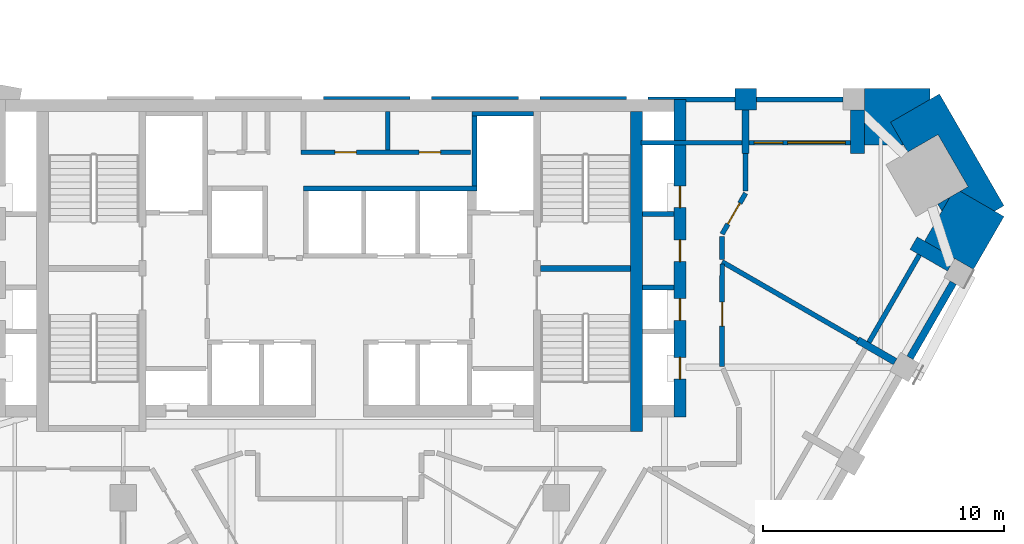
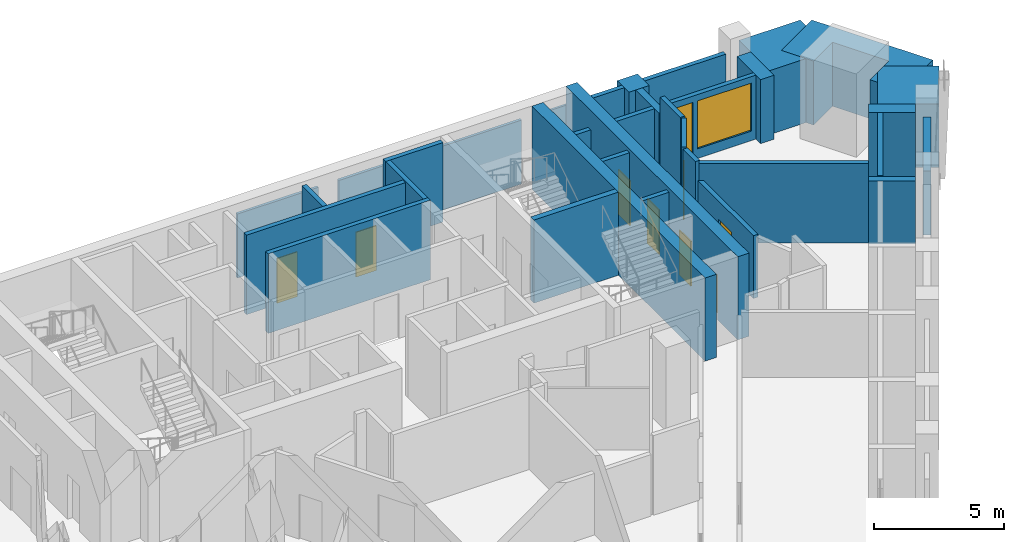
# One storey, part 7 of 9: 33 walls, 9 doors, 1 window, 10 openings.
"""IFC4 building model written with IfcOpenShell, lengths in metres."""

from ifc_helpers import new_model, si_unit, direction, frame, frame_2d, origin, place, context, subcontext, project, spatial, polyline, rectangle, outline, extrude, material, layer, layer_set, type_object, element, fill, save


model = new_model("IFC4")

# Units and contexts
model_context = context("Model", 3, precision=1e-05, world=origin(), true_north=direction((0.0, 1.0)))
body_context = subcontext(model_context, "Body", "Model", "MODEL_VIEW")
ifc_project = project(units=[si_unit("LENGTHUNIT", "METRE"), si_unit("AREAUNIT", "SQUARE_METRE"), si_unit("VOLUMEUNIT", "CUBIC_METRE"), si_unit("PLANEANGLEUNIT", "RADIAN"), si_unit("MASSUNIT", "GRAM", prefix="KILO")], contexts=[model_context])

# Site, building, storey
site_placement = place(None, origin())
site = spatial("IfcSite", under=ifc_project, at=site_placement, CompositionType="ELEMENT")
building_placement = place(site_placement, origin())
building = spatial("IfcBuilding", under=site, at=building_placement, Name="Calabash Gate Tower", CompositionType="ELEMENT")
storey_placement = place(building_placement, frame((0.0, 0.0, 196.39990234375)))
storey = spatial("IfcBuildingStorey", under=building, at=storey_placement, Name="L46", CompositionType="ELEMENT", Elevation=196.39990234375)

# Walls
ifc_material_1 = material(Name="Terracotta brick masonry, exposed face", Category="masonry")
ifc_layer_1 = layer(ifc_material_1, 2.35009765625)
ifc_layer_set_1 = layer_set([ifc_layer_1], Name="Brick corner mass wall 2350")
wall_type_1 = type_object("IfcWallType", Name="Brick corner mass wall 2350", PredefinedType="SOLIDWALL", material=ifc_layer_set_1)
wall_1_placement = place(storey_placement, origin())
element("IfcWall", 1, at=wall_1_placement, inside=storey, type_object=wall_type_1, Name="Brick corner pier S13 3a", PredefinedType="SOLIDWALL", context=body_context, shape_type="SweptSolid", body=[
    extrude(outline(polyline([(25.370361328125, 14.987060546875), (24.3154296875, 13.159912109375), (26.3505859375, 11.98486328125), (27.61865234375, 14.181396484375), (25.796630859375, 15.233154296875), (25.370361328125, 14.987060546875)])), origin(), (0.0, 0.0, 1.0), 3.0),
])
wall_2_placement = place(storey_placement, origin())
element("IfcWall", 2, at=wall_2_placement, inside=storey, type_object=wall_type_1, Name="Brick corner pier S13 3ba", PredefinedType="SOLIDWALL", context=body_context, shape_type="SweptSolid", body=[
    extrude(outline(polyline([(25.03515625, 14.40625), (25.370361328125, 14.987060546875), (24.867431640625, 14.69677734375), (25.03515625, 14.40625)])), origin(), (0.0, 0.0, 1.0), 3.0),
])
wall_3_placement = place(storey_placement, origin())
element("IfcWall", 3, at=wall_3_placement, inside=storey, type_object=wall_type_1, Name="Brick corner pier S13 3bb", PredefinedType="SOLIDWALL", context=body_context, shape_type="SweptSolid", body=[
    extrude(outline(polyline([(22.901123046875, 18.1025390625), (23.617431640625, 16.86181640625), (24.87451171875, 17.587646484375), (26.12451171875, 15.42236328125), (25.796630859375, 15.233154296875), (27.22900390625, 14.40625), (27.61865234375, 14.63134765625), (24.936279296875, 19.277587890625), (22.901123046875, 18.1025390625)])), origin(), (0.0, 0.0, 1.0), 3.0),
])
wall_4_placement = place(storey_placement, origin())
element("IfcWall", 4, at=wall_4_placement, inside=storey, type_object=wall_type_1, Name="Brick corner pier S13 3c", PredefinedType="SOLIDWALL", context=body_context, shape_type="SweptSolid", body=[
    extrude(outline(polyline([(21.827880859375, 18.60302734375), (21.827880859375, 17.152587890625), (23.449462890625, 17.152587890625), (22.901123046875, 18.1025390625), (24.54638671875, 19.052490234375), (24.54638671875, 19.50244140625), (21.827880859375, 19.50244140625), (21.827880859375, 18.60302734375), (21.827880859375, 18.60302734375)])), origin(), (0.0, 0.0, 1.0), 3.0),
])
ifc_material_2 = material(Name="Terracotta brick masonry, exposed face", Category="masonry")
ifc_layer_2 = layer(ifc_material_2, 0.89990234375)
ifc_layer_set_2 = layer_set([ifc_layer_2], Name="Brick end wall 900")
wall_type_2 = type_object("IfcWallType", Name="Brick end wall 900", PredefinedType="SOLIDWALL", material=ifc_layer_set_2)
wall_5_placement = place(storey_placement, origin())
element("IfcWall", 5, at=wall_5_placement, inside=storey, type_object=wall_type_2, Name="Brick pier S13 N4.1", PredefinedType="SOLIDWALL", context=body_context, shape_type="SweptSolid", body=[
    extrude(outline(polyline([(17.327880859375, 19.50244140625), (16.427734375, 19.50244140625), (16.427734375, 18.6025390625), (17.327880859375, 18.6025390625), (17.327880859375, 19.50244140625)])), origin(), (0.0, 0.0, 1.0), 3.0),
])
ifc_material_3 = material(Name="Terracotta brick masonry, exposed face", Category="masonry")
ifc_layer_3 = layer(ifc_material_3, 0.300048828125)
ifc_layer_set_3 = layer_set([ifc_layer_3], Name="Brick infill panel wall 300")
wall_type_3 = type_object("IfcWallType", Name="Brick infill panel wall 300", PredefinedType="SOLIDWALL", material=ifc_layer_set_3)
wall_6_placement = place(storey_placement, frame((23.7109375, 8.312744140625, 0.0), z_axis=(0.0, 0.0, 1.0), x_axis=(0.500012057535, 0.866018442252, 0.0)))
element("IfcWall", 6, at=wall_6_placement, inside=storey, type_object=wall_type_3, Name="Brick panel S13 SE2.9", PredefinedType="SOLIDWALL", context=body_context, shape_type="SweptSolid", body=[
    extrude(rectangle(XDim=3.60009765625, YDim=0.300048828125, at=frame_2d((1.800048828125, 0.0))), origin(), (0.0, 0.0, 1.0), 3.0),
])
ifc_material_4 = material(Name="Terracotta brick masonry, exposed face", Category="masonry")
ifc_layer_4 = layer(ifc_material_4, 0.300048828125)
ifc_layer_set_4 = layer_set([ifc_layer_4], Name="Brick loggia cheek wall 300")
wall_type_4 = type_object("IfcWallType", Name="Brick loggia cheek wall 300", PredefinedType="SOLIDWALL", material=ifc_layer_set_4)
wall_7_placement = place(storey_placement, frame((23.09619140625, 8.148193359375, 0.0), z_axis=(0.0, 0.0, 1.0), x_axis=(-0.866047807691, 0.499961193289, 0.0)))
element("IfcWall", 7, at=wall_7_placement, inside=storey, type_object=wall_type_4, Name="Loggia cheek S13 SE2.8", PredefinedType="SOLIDWALL", context=body_context, shape_type="SweptSolid", body=[
    extrude(rectangle(XDim=1.800048828125, YDim=0.300048828125, at=frame_2d((0.89990234375, 0.0))), origin(), (0.0, 0.0, 1.0), 2.9501953125),
])
wall_8_placement = place(storey_placement, frame((25.421142578125, 12.175048828125, 0.0), z_axis=(0.0, 0.0, 1.0), x_axis=(-0.865989075817, 0.500062916607, 0.0)))
element("IfcWall", 8, at=wall_8_placement, inside=storey, type_object=wall_type_4, Name="Loggia cheek S13 SE2.9", PredefinedType="SOLIDWALL", context=body_context, shape_type="SweptSolid", body=[
    extrude(rectangle(XDim=1.800048828125, YDim=0.60009765625, at=frame_2d((0.89990234375, 0.0))), origin(), (0.0, 0.0, 1.0), 3.0),
])
wall_9_placement = place(storey_placement, origin())
element("IfcWall", 9, at=wall_9_placement, inside=storey, type_object=wall_type_4, Name="Loggia cheek S13 N4.0", PredefinedType="SOLIDWALL", context=body_context, shape_type="SweptSolid", body=[
    extrude(outline(polyline([(21.827880859375, 16.802490234375), (21.827880859375, 18.6025390625), (21.227783203125, 18.6025390625), (21.227783203125, 16.802490234375), (21.827880859375, 16.802490234375)])), origin(), (0.0, 0.0, 1.0), 3.0),
])
wall_10_placement = place(storey_placement, origin())
element("IfcWall", 10, at=wall_10_placement, inside=storey, type_object=wall_type_4, Name="Loggia cheek S13 N4.1", PredefinedType="SOLIDWALL", context=body_context, shape_type="SweptSolid", body=[
    extrude(outline(polyline([(17.02783203125, 18.6025390625), (16.727783203125, 18.6025390625), (16.727783203125, 16.802490234375), (17.02783203125, 16.802490234375), (17.02783203125, 18.6025390625)])), origin(), (0.0, 0.0, 1.0), 3.0),
])
ifc_material_5 = material(Name="Gypsum board on steel studs, mineral wool", Category="steel")
ifc_layer_5 = layer(ifc_material_5, 0.199951171875)
ifc_layer_set_5 = layer_set([ifc_layer_5], Name="Core partition 200 gypsum board")
wall_type_5 = type_object("IfcWallType", Name="Core partition 200 gypsum board", PredefinedType="PARTITIONING", material=ifc_layer_set_5)
wall_11_placement = place(storey_placement, frame((2.0, 16.95263671875, 0.0), z_axis=(0.0, 0.0, 1.0), x_axis=(0.0, 1.0, 0.0)))
element("IfcWall", 11, at=wall_11_placement, inside=storey, type_object=wall_type_5, Name="Core partition", PredefinedType="PARTITIONING", context=body_context, shape_type="SweptSolid", body=[
    extrude(rectangle(XDim=1.599853515625, YDim=0.199951171875, at=frame_2d((0.7998046875, 0.0))), origin(), (0.0, 0.0, 1.0), 3.72998046875),
])
ifc_material_6 = material(Name="Concrete C70/85", Category="concrete")
ifc_layer_6 = layer(ifc_material_6, 0.25)
ifc_layer_set_6 = layer_set([ifc_layer_6], Name="Core wall 250 Concrete C70/85")
wall_type_6 = type_object("IfcWallType", Name="Core wall 250 Concrete C70/85", PredefinedType="SHEAR", material=ifc_layer_set_6)
wall_12_placement = place(storey_placement, frame((8.35009765625, 12.027587890625, 0.0), z_axis=(0.0, 0.0, 1.0), x_axis=(1.0, 0.0, 0.0)))
element("IfcWall", 12, at=wall_12_placement, inside=storey, type_object=wall_type_6, Name="Core wall Z4-MIDE L46", PredefinedType="SHEAR", context=body_context, shape_type="SweptSolid", body=[
    extrude(rectangle(XDim=3.75, YDim=0.25, at=frame_2d((1.875, 0.0))), origin(), (0.0, 0.0, 1.0), 3.900146484375),
])
ifc_material_7 = material(Name="Concrete C70/85", Category="concrete")
ifc_layer_7 = layer(ifc_material_7, 0.5)
ifc_layer_set_7 = layer_set([ifc_layer_7], Name="Core wall 500 Concrete C70/85")
wall_type_7 = type_object("IfcWallType", Name="Core wall 500 Concrete C70/85", PredefinedType="SHEAR", material=ifc_layer_set_7)
wall_13_placement = place(storey_placement, frame((12.35009765625, 5.252685546875, 0.0), z_axis=(0.0, 0.0, 1.0), x_axis=(0.0, 1.0, 0.0)))
element("IfcWall", 13, at=wall_13_placement, inside=storey, type_object=wall_type_7, Name="Core wall Z4-COLE L46", PredefinedType="SHEAR", context=body_context, shape_type="SweptSolid", body=[
    extrude(rectangle(XDim=13.2998046875, YDim=0.5, at=frame_2d((6.64990234375, 0.0))), origin(), (0.0, 0.0, 1.0), 3.900146484375),
])

# Wall, openings, doors
wall_14_placement = place(storey_placement, frame((14.14990234375, 5.8525390625, 0.0), z_axis=(0.0, 0.0, 1.0), x_axis=(0.0, 1.0, 0.0)))
wall_14 = element("IfcWall", 14, at=wall_14_placement, inside=storey, type_object=wall_type_7, Name="Core wall Z4-ENDE L46", PredefinedType="SHEAR", context=body_context, shape_type="SweptSolid", body=[
    extrude(rectangle(XDim=13.199951171875, YDim=0.5, at=frame_2d((6.60009765625, 0.0))), origin(), (0.0, 0.0, 1.0), 3.900146484375),
])
opening_1_placement = place(wall_14_placement, frame((1.574951171875, 0.0, 0.0)))
opening_1 = element("IfcOpeningElement", 15, at=opening_1_placement, cuts=wall_14, Name="Opening O5-001", PredefinedType="OPENING", context=body_context, shape_type="SweptSolid", body=[
    extrude(rectangle(XDim=0.89990234375, YDim=2.10009765625, at=frame_2d((0.449951171875, 1.050048828125))), frame((0.0, 0.260009765625, 0.0), z_axis=(0.0, -1.0, 0.0), x_axis=(1.0, 0.0, 0.0)), (0.0, 0.0, 1.0), 0.52001953125),
])
opening_2_placement = place(wall_14_placement, frame((4.014892578125, 0.0, 0.0)))
opening_2 = element("IfcOpeningElement", 16, at=opening_2_placement, cuts=wall_14, Name="Opening O5-002", PredefinedType="OPENING", context=body_context, shape_type="SweptSolid", body=[
    extrude(rectangle(XDim=0.89990234375, YDim=2.10009765625, at=frame_2d((0.449951171875, 1.050048828125))), frame((0.0, 0.260009765625, 0.0), z_axis=(0.0, -1.0, 0.0), x_axis=(1.0, 0.0, 0.0)), (0.0, 0.0, 1.0), 0.52001953125),
])
opening_3_placement = place(wall_14_placement, frame((6.455078125, 0.0, 0.0)))
opening_3 = element("IfcOpeningElement", 17, at=opening_3_placement, cuts=wall_14, Name="Opening O5-003", PredefinedType="OPENING", context=body_context, shape_type="SweptSolid", body=[
    extrude(rectangle(XDim=0.89990234375, YDim=2.10009765625, at=frame_2d((0.449951171875, 1.050048828125))), frame((0.0, 0.260009765625, 0.0), z_axis=(0.0, -1.0, 0.0), x_axis=(1.0, 0.0, 0.0)), (0.0, 0.0, 1.0), 0.52001953125),
])
opening_4_placement = place(wall_14_placement, frame((8.697509765625, 0.0, 0.0)))
opening_4 = element("IfcOpeningElement", 18, at=opening_4_placement, cuts=wall_14, Name="Opening O5-004", PredefinedType="OPENING", context=body_context, shape_type="SweptSolid", body=[
    extrude(rectangle(XDim=0.89990234375, YDim=2.10009765625, at=frame_2d((0.449951171875, 1.050048828125))), frame((0.0, 0.260009765625, 0.0), z_axis=(0.0, -1.0, 0.0), x_axis=(1.0, 0.0, 0.0)), (0.0, 0.0, 1.0), 0.52001953125),
])
ifc_material_8 = material(Name="Steel fire door set with fire-resisting glazing", Category="steel")
door_type_1 = type_object("IfcDoorType", Name="Fire door D06 900x2100 FD60", OperationType="NOTDEFINED", PredefinedType="DOOR", material=ifc_material_8)
door_1_placement = place(opening_1_placement, origin())
door_1 = element("IfcDoor", 19, at=door_1_placement, inside=storey, type_object=door_type_1, Name="Electrical Riser door", OperationType="SINGLE_SWING_LEFT", OverallHeight=2.10009765625, OverallWidth=0.89990234375, PredefinedType="DOOR", context=body_context, shape_type="SweptSolid", body=[
    extrude(rectangle(XDim=0.89990234375, YDim=2.10009765625, at=frame_2d((0.449951171875, 1.050048828125))), frame((0.0, 0.02490234375, 0.0), z_axis=(0.0, -1.0, 0.0), x_axis=(1.0, 0.0, 0.0)), (0.0, 0.0, 1.0), 0.050048828125),
])
fill(opening_1, door_1)
door_2_placement = place(opening_2_placement, origin())
door_2 = element("IfcDoor", 20, at=door_2_placement, inside=storey, type_object=door_type_1, Name="Comms Riser door", OperationType="SINGLE_SWING_RIGHT", OverallHeight=2.10009765625, OverallWidth=0.89990234375, PredefinedType="DOOR", context=body_context, shape_type="SweptSolid", body=[
    extrude(rectangle(XDim=0.89990234375, YDim=2.10009765625, at=frame_2d((0.449951171875, 1.050048828125))), frame((0.0, 0.02490234375, 0.0), z_axis=(0.0, -1.0, 0.0), x_axis=(1.0, 0.0, 0.0)), (0.0, 0.0, 1.0), 0.050048828125),
])
fill(opening_2, door_2)
door_3_placement = place(opening_3_placement, origin())
door_3 = element("IfcDoor", 21, at=door_3_placement, inside=storey, type_object=door_type_1, Name="Cleaner's Store door", OperationType="SINGLE_SWING_LEFT", OverallHeight=2.10009765625, OverallWidth=0.89990234375, PredefinedType="DOOR", context=body_context, shape_type="SweptSolid", body=[
    extrude(rectangle(XDim=0.89990234375, YDim=2.10009765625, at=frame_2d((0.449951171875, 1.050048828125))), frame((0.0, 0.02490234375, 0.0), z_axis=(0.0, -1.0, 0.0), x_axis=(1.0, 0.0, 0.0)), (0.0, 0.0, 1.0), 0.050048828125),
])
fill(opening_3, door_3)
door_4_placement = place(opening_4_placement, origin())
door_4 = element("IfcDoor", 22, at=door_4_placement, inside=storey, type_object=door_type_1, Name="Duct Riser door", OperationType="SINGLE_SWING_LEFT", OverallHeight=2.10009765625, OverallWidth=0.89990234375, PredefinedType="DOOR", context=body_context, shape_type="SweptSolid", body=[
    extrude(rectangle(XDim=0.89990234375, YDim=2.10009765625, at=frame_2d((0.449951171875, 1.050048828125))), frame((0.0, 0.02490234375, 0.0), z_axis=(0.0, -1.0, 0.0), x_axis=(1.0, 0.0, 0.0)), (0.0, 0.0, 1.0), 0.050048828125),
])
fill(opening_4, door_4)

# Wall
ifc_material_9 = material(Name="Gypsum board on steel studs, mineral wool", Category="steel")
ifc_layer_8 = layer(ifc_material_9, 0.199951171875)
ifc_layer_set_8 = layer_set([ifc_layer_8], Name="Partition 200 gypsum board EI 60")
wall_type_8 = type_object("IfcWallType", Name="Partition 200 gypsum board EI 60", PredefinedType="PARTITIONING", material=ifc_layer_set_8)
wall_15_placement = place(storey_placement, frame((15.900390625, 12.30029296875, 0.0), z_axis=(0.0, 0.0, 1.0), x_axis=(0.86615310705, -0.499778746194, 0.0)))
element("IfcWall", 23, at=wall_15_placement, inside=storey, type_object=wall_type_8, Name="Partition", PredefinedType="PARTITIONING", context=body_context, shape_type="SweptSolid", body=[
    extrude(rectangle(XDim=6.5078125, YDim=0.199951171875, at=frame_2d((3.25390625, 0.0))), origin(), (0.0, 0.0, 1.0), 3.72998046875),
])

# Wall, opening, door
wall_16_placement = place(storey_placement, frame((15.900390625, 7.95263671875, 0.0), z_axis=(0.0, 0.0, 1.0), x_axis=(0.000402229468, 0.999999919106, 0.0)))
wall_16 = element("IfcWall", 24, at=wall_16_placement, inside=storey, type_object=wall_type_8, Name="Partition", PredefinedType="PARTITIONING", context=body_context, shape_type="SweptSolid", body=[
    extrude(rectangle(XDim=4.248779296875, YDim=0.199951171875, at=frame_2d((2.12451171875, 0.0))), origin(), (0.0, 0.0, 1.0), 2.9501953125),
])
opening_5_placement = place(wall_16_placement, frame((1.67578125, 0.0, 0.0)))
opening_5 = element("IfcOpeningElement", 25, at=opening_5_placement, cuts=wall_16, Name="Opening 46-48-011", PredefinedType="OPENING", context=body_context, shape_type="SweptSolid", body=[
    extrude(rectangle(XDim=1.0, YDim=2.10009765625, at=frame_2d((0.5, 1.050048828125))), frame((0.0, 0.10986328125, 0.0), z_axis=(0.0, -1.0, 0.0), x_axis=(1.0, 0.0, 0.0)), (0.0, 0.0, 1.0), 0.219970703125),
])
ifc_material_10 = material(Name="Steel fire door set with fire-resisting glazing", Category="steel")
door_type_2 = type_object("IfcDoorType", Name="LD2 Meeting room door 1000x2100", OperationType="NOTDEFINED", PredefinedType="DOOR", material=ifc_material_10)
door_5_placement = place(opening_5_placement, origin())
door_5 = element("IfcDoor", 26, at=door_5_placement, inside=storey, type_object=door_type_2, Name="Meeting room door", OperationType="SINGLE_SWING_RIGHT", OverallHeight=2.10009765625, OverallWidth=1.0, PredefinedType="DOOR", context=body_context, shape_type="SweptSolid", body=[
    extrude(rectangle(XDim=1.0, YDim=2.10009765625, at=frame_2d((0.5, 1.050048828125))), frame((0.0, 0.02490234375, 0.0), z_axis=(0.0, -1.0, 0.0), x_axis=(1.0, 0.0, 0.0)), (0.0, 0.0, 1.0), 0.050048828125),
])
fill(opening_5, door_5)

# Wall
wall_17_placement = place(storey_placement, frame((15.900634765625, 13.352294921875, 0.0), z_axis=(0.0, 0.0, 1.0), x_axis=(0.001284025649, -0.999999175639, 0.0)))
element("IfcWall", 27, at=wall_17_placement, inside=storey, type_object=wall_type_8, Name="Partition", PredefinedType="PARTITIONING", context=body_context, shape_type="SweptSolid", body=[
    extrude(rectangle(XDim=0.95068359375, YDim=0.199951171875, at=frame_2d((0.475341796875, 0.0))), origin(), (0.0, 0.0, 1.0), 3.72998046875),
])

# Wall, opening, door
wall_18_placement = place(storey_placement, frame((15.900390625, 13.452392578125, 0.0), z_axis=(0.0, 0.0, 1.0), x_axis=(0.498590407305, 0.866837704385, 0.0)))
wall_18 = element("IfcWall", 28, at=wall_18_placement, inside=storey, type_object=wall_type_8, Name="Partition", PredefinedType="PARTITIONING", context=body_context, shape_type="SweptSolid", body=[
    extrude(rectangle(XDim=1.961181640625, YDim=0.199951171875, at=frame_2d((0.98046875, 0.0))), origin(), (0.0, 0.0, 1.0), 3.72998046875),
])
opening_6_placement = place(wall_18_placement, frame((0.480712890625, 0.0, 0.0)))
opening_6 = element("IfcOpeningElement", 29, at=opening_6_placement, cuts=wall_18, Name="Opening 46-48-010", PredefinedType="OPENING", context=body_context, shape_type="SweptSolid", body=[
    extrude(rectangle(XDim=1.0, YDim=2.10009765625, at=frame_2d((0.5, 1.050048828125))), frame((0.0, 0.10986328125, 0.0), z_axis=(0.0, -1.0, 0.0), x_axis=(1.0, 0.0, 0.0)), (0.0, 0.0, 1.0), 0.219970703125),
])
door_6_placement = place(opening_6_placement, origin())
door_6 = element("IfcDoor", 30, at=door_6_placement, inside=storey, type_object=door_type_2, Name="Meeting room door", OperationType="SINGLE_SWING_LEFT", OverallHeight=2.10009765625, OverallWidth=1.0, PredefinedType="DOOR", context=body_context, shape_type="SweptSolid", body=[
    extrude(rectangle(XDim=1.0, YDim=2.10009765625, at=frame_2d((0.5, 1.050048828125))), frame((0.0, 0.02490234375, 0.0), z_axis=(0.0, -1.0, 0.0), x_axis=(1.0, 0.0, 0.0)), (0.0, 0.0, 1.0), 0.050048828125),
])
fill(opening_6, door_6)

# Walls
wall_19_placement = place(storey_placement, frame((16.878173828125, 15.252197265625, 0.0), z_axis=(0.0, 0.0, 1.0), x_axis=(0.000157480313, 0.9999999876, 0.0)))
element("IfcWall", 31, at=wall_19_placement, inside=storey, type_object=wall_type_8, Name="Partition", PredefinedType="PARTITIONING", context=body_context, shape_type="SweptSolid", body=[
    extrude(rectangle(XDim=1.55029296875, YDim=0.199951171875, at=frame_2d((0.775146484375, 0.0))), origin(), (0.0, 0.0, 1.0), 3.72998046875),
])
ifc_material_11 = material(Name="Concrete C40/50", Category="concrete")
ifc_layer_9 = layer(ifc_material_11, 0.199951171875)
ifc_layer_set_9 = layer_set([ifc_layer_9], Name="Shaft wall 200 Concrete C40/50")
wall_type_9 = type_object("IfcWallType", Name="Shaft wall 200 Concrete C40/50", PredefinedType="SOLIDWALL", material=ifc_layer_set_9)
for number, where, z_axis, x_axis, name in (
    (32, (12.60009765625, 11.232666015625, 0.0), (0.0, 0.0, 1.0), (1.0, 0.0, 0.0), "Shaft wall"),
    (33, (12.60009765625, 14.28271484375, 0.0), (0.0, 0.0, 1.0), (1.0, 0.0, 0.0), "Shaft wall"),
):
    element("IfcWall", number, at=place(storey_placement, frame(where, z_axis=z_axis, x_axis=x_axis)), inside=storey, type_object=wall_type_9, Name=name, PredefinedType="SOLIDWALL", context=body_context, shape_type="SweptSolid", body=[
        extrude(rectangle(XDim=1.2998046875, YDim=0.199951171875, at=frame_2d((0.64990234375, 0.0))), origin(), (0.0, 0.0, 1.0), 3.72998046875),
    ])
wall_20_placement = place(storey_placement, frame((-1.5, 15.3525390625, 0.0), z_axis=(0.0, 0.0, 1.0), x_axis=(1.0, 0.0, 0.0)))
element("IfcWall", 34, at=wall_20_placement, inside=storey, type_object=wall_type_9, Name="Shaft wall", PredefinedType="SOLIDWALL", context=body_context, shape_type="SweptSolid", body=[
    extrude(rectangle(XDim=7.199951171875, YDim=0.199951171875, at=frame_2d((3.60009765625, 0.0))), origin(), (0.0, 0.0, 1.0), 3.72998046875),
])
wall_21_placement = place(storey_placement, frame((5.60009765625, 15.45263671875, 0.0), z_axis=(0.0, 0.0, 1.0), x_axis=(0.0, 1.0, 0.0)))
element("IfcWall", 35, at=wall_21_placement, inside=storey, type_object=wall_type_9, Name="Shaft wall", PredefinedType="SOLIDWALL", context=body_context, shape_type="SweptSolid", body=[
    extrude(rectangle(XDim=2.89990234375, YDim=0.199951171875, at=frame_2d((1.449951171875, 0.0))), origin(), (0.0, 0.0, 1.0), 3.72998046875),
])

# Wall, openings, doors
wall_22_placement = place(storey_placement, frame((-1.60009765625, 16.8525390625, 0.0), z_axis=(0.0, 0.0, 1.0), x_axis=(1.0, 0.0, 0.0)))
wall_22 = element("IfcWall", 36, at=wall_22_placement, inside=storey, type_object=wall_type_9, Name="Shaft wall", PredefinedType="SOLIDWALL", context=body_context, shape_type="SweptSolid", body=[
    extrude(rectangle(XDim=7.050048828125, YDim=0.199951171875, at=frame_2d((3.52490234375, 0.0))), origin(), (0.0, 0.0, 1.0), 3.72998046875),
])
opening_7_placement = place(wall_22_placement, frame((1.39990234375, 0.0, 0.0)))
opening_7 = element("IfcOpeningElement", 37, at=opening_7_placement, cuts=wall_22, Name="Opening O5-014", PredefinedType="OPENING", context=body_context, shape_type="SweptSolid", body=[
    extrude(rectangle(XDim=0.89990234375, YDim=2.10009765625, at=frame_2d((0.449951171875, 1.050048828125))), frame((0.0, 0.10986328125, 0.0), z_axis=(0.0, -1.0, 0.0), x_axis=(1.0, 0.0, 0.0)), (0.0, 0.0, 1.0), 0.219970703125),
])
opening_8_placement = place(wall_22_placement, frame((4.89990234375, 0.0, 0.0)))
opening_8 = element("IfcOpeningElement", 38, at=opening_8_placement, cuts=wall_22, Name="Opening O5-015", PredefinedType="OPENING", context=body_context, shape_type="SweptSolid", body=[
    extrude(rectangle(XDim=0.89990234375, YDim=2.10009765625, at=frame_2d((0.449951171875, 1.050048828125))), frame((0.0, 0.10986328125, 0.0), z_axis=(0.0, -1.0, 0.0), x_axis=(1.0, 0.0, 0.0)), (0.0, 0.0, 1.0), 0.219970703125),
])
door_7_placement = place(opening_7_placement, origin())
door_7 = element("IfcDoor", 39, at=door_7_placement, inside=storey, type_object=door_type_1, Name="Tenant Pantry door", OperationType="SINGLE_SWING_LEFT", OverallHeight=2.10009765625, OverallWidth=0.89990234375, PredefinedType="DOOR", context=body_context, shape_type="SweptSolid", body=[
    extrude(rectangle(XDim=0.89990234375, YDim=2.10009765625, at=frame_2d((0.449951171875, 1.050048828125))), frame((0.0, 0.02490234375, 0.0), z_axis=(0.0, -1.0, 0.0), x_axis=(1.0, 0.0, 0.0)), (0.0, 0.0, 1.0), 0.050048828125),
])
fill(opening_7, door_7)
door_8_placement = place(opening_8_placement, origin())
door_8 = element("IfcDoor", 40, at=door_8_placement, inside=storey, type_object=door_type_1, Name="Comms Room door", OperationType="SINGLE_SWING_LEFT", OverallHeight=2.10009765625, OverallWidth=0.89990234375, PredefinedType="DOOR", context=body_context, shape_type="SweptSolid", body=[
    extrude(rectangle(XDim=0.89990234375, YDim=2.10009765625, at=frame_2d((0.449951171875, 1.050048828125))), frame((0.0, 0.02490234375, 0.0), z_axis=(0.0, -1.0, 0.0), x_axis=(1.0, 0.0, 0.0)), (0.0, 0.0, 1.0), 0.050048828125),
])
fill(opening_8, door_8)

# Walls
wall_23_placement = place(storey_placement, frame((5.5, 18.45263671875, 0.0), z_axis=(0.0, 0.0, 1.0), x_axis=(1.0, 0.0, 0.0)))
element("IfcWall", 41, at=wall_23_placement, inside=storey, type_object=wall_type_9, Name="Shaft wall", PredefinedType="SOLIDWALL", context=body_context, shape_type="SweptSolid", body=[
    extrude(rectangle(XDim=2.550048828125, YDim=0.199951171875, at=frame_2d((1.27490234375, 0.0))), origin(), (0.0, 0.0, 1.0), 3.72998046875),
])
ifc_material_12 = material(Name="Terracotta brick masonry, perforated", Category="masonry")
ifc_layer_10 = layer(ifc_material_12, 0.1201171875)
ifc_layer_set_10 = layer_set([ifc_layer_10], Name="Terracotta jaali cladding A 120")
wall_type_10 = type_object("IfcWallType", Name="Terracotta jaali cladding A 120", PredefinedType="SOLIDWALL", material=ifc_layer_set_10)
wall_24_placement = place(storey_placement, origin())
element("IfcWall", 42, at=wall_24_placement, inside=storey, type_object=wall_type_10, Name="Jaali cladding S13 N4.3", PredefinedType="SOLIDWALL", context=body_context, shape_type="SweptSolid", body=[
    extrude(outline(polyline([(8.327880859375, 19.172607421875), (8.327880859375, 19.052490234375), (11.927734375, 19.052490234375), (11.927734375, 19.172607421875), (8.327880859375, 19.172607421875)])), origin(), (0.0, 0.0, 1.0), 3.0),
])
wall_25_placement = place(storey_placement, origin())
element("IfcWall", 43, at=wall_25_placement, inside=storey, type_object=wall_type_10, Name="Jaali cladding S13 N4.5", PredefinedType="SOLIDWALL", context=body_context, shape_type="SweptSolid", body=[
    extrude(outline(polyline([(-0.672119140625, 19.172607421875), (-0.672119140625, 19.052490234375), (2.927734375, 19.052490234375), (2.927734375, 19.172607421875), (-0.672119140625, 19.172607421875)])), origin(), (0.0, 0.0, 1.0), 3.0),
])
ifc_material_13 = material(Name="Terracotta brick masonry, perforated", Category="masonry")
ifc_layer_11 = layer(ifc_material_13, 0.199951171875)
ifc_layer_set_11 = layer_set([ifc_layer_11], Name="Terracotta jaali screen A")
wall_type_11 = type_object("IfcWallType", Name="Terracotta jaali screen A", PredefinedType="SOLIDWALL", material=ifc_layer_set_11)
wall_26_placement = place(storey_placement, frame((20.927734375, 19.052490234375, 0.0), z_axis=(0.0, 0.0, 1.0), x_axis=(-1.0, 0.0, 0.0)))
element("IfcWall", 44, at=wall_26_placement, inside=storey, type_object=wall_type_11, Name="SCREEN A S13 N4.1", PredefinedType="SOLIDWALL", context=body_context, shape_type="SweptSolid", body=[
    extrude(rectangle(XDim=3.599853515625, YDim=0.199951171875, at=frame_2d((1.7998046875, 0.0))), origin(), (0.0, 0.0, 1.0), 3.0),
])
wall_27_placement = place(storey_placement, origin())
element("IfcWall", 45, at=wall_27_placement, inside=storey, type_object=wall_type_11, Name="SCREEN A S13 N4.2", PredefinedType="SOLIDWALL", context=body_context, shape_type="SweptSolid", body=[
    extrude(outline(polyline([(16.427734375, 19.152587890625), (12.827880859375, 19.152587890625), (12.827880859375, 19.052490234375), (14.39990234375, 19.052490234375), (14.39990234375, 18.95263671875), (16.427734375, 18.95263671875), (16.427734375, 19.152587890625)])), origin(), (0.0, 0.0, 1.0), 3.0),
])
ifc_material_14 = material(Name="Terracotta louvre blades in an aluminium frame", Category="masonry")
ifc_layer_12 = layer(ifc_material_14, 0.1201171875)
ifc_layer_set_12 = layer_set([ifc_layer_12], Name="Terracotta vent louvre cladding 120")
wall_type_12 = type_object("IfcWallType", Name="Terracotta vent louvre cladding 120", PredefinedType="ELEMENTEDWALL", material=ifc_layer_set_12)
wall_28_placement = place(storey_placement, origin())
element("IfcWall", 46, at=wall_28_placement, inside=storey, type_object=wall_type_12, Name="Vent louvre cladding S13 N4.4", PredefinedType="ELEMENTEDWALL", context=body_context, shape_type="SweptSolid", body=[
    extrude(outline(polyline([(3.827880859375, 19.172607421875), (3.827880859375, 19.052490234375), (7.427734375, 19.052490234375), (7.427734375, 19.172607421875), (3.827880859375, 19.172607421875)])), origin(), (0.0, 0.0, 1.0), 3.0),
])
ifc_material_15 = material(Name="Aluminium framed window wall with insulated spandrel", Category="aluminium")
ifc_layer_13 = layer(ifc_material_15, 0.199951171875)
ifc_layer_set_13 = layer_set([ifc_layer_13], Name="Window wall 200")
wall_type_13 = type_object("IfcWallType", Name="Window wall 200", PredefinedType="ELEMENTEDWALL", material=ifc_layer_set_13)
wall_29_placement = place(storey_placement, frame((22.001953125, 8.952880859375, 0.0), z_axis=(0.0, 0.0, 1.0), x_axis=(0.500002543286, 0.866023935413, 0.0)))
element("IfcWall", 47, at=wall_29_placement, inside=storey, type_object=wall_type_13, Name="Window wall S13 SE2.9", PredefinedType="ELEMENTEDWALL", context=body_context, shape_type="SweptSolid", body=[
    extrude(rectangle(XDim=4.2001953125, YDim=0.199951171875, at=frame_2d((2.10009765625, 0.0))), origin(), (0.0, 0.0, 1.0), 3.0),
])

# Wall, openings, door, window
wall_30_placement = place(storey_placement, frame((21.227783203125, 17.25244140625, 0.0), z_axis=(0.0, 0.0, 1.0), x_axis=(-1.0, 0.0, 0.0)))
wall_30 = element("IfcWall", 48, at=wall_30_placement, inside=storey, type_object=wall_type_13, Name="Window wall S13 N4.1", PredefinedType="ELEMENTEDWALL", context=body_context, shape_type="SweptSolid", body=[
    extrude(rectangle(XDim=4.199951171875, YDim=0.199951171875, at=frame_2d((2.10009765625, 0.0))), origin(), (0.0, 0.0, 1.0), 3.0),
])
opening_9_placement = place(wall_30_placement, frame((0.199951171875, 0.0, 0.449951171875)))
opening_9 = element("IfcOpeningElement", 49, at=opening_9_placement, cuts=wall_30, Name="Opening OW1", PredefinedType="OPENING", context=body_context, shape_type="SweptSolid", body=[
    extrude(rectangle(XDim=2.39990234375, YDim=2.25, at=frame_2d((1.199951171875, 1.125))), frame((0.0, 0.10986328125, 0.0), z_axis=(0.0, -1.0, 0.0), x_axis=(1.0, 0.0, 0.0)), (0.0, 0.0, 1.0), 0.219970703125),
])
opening_10_placement = place(wall_30_placement, frame((2.800048828125, 0.0, 0.0)))
opening_10 = element("IfcOpeningElement", 50, at=opening_10_placement, cuts=wall_30, Name="Opening O5-022", PredefinedType="OPENING", context=body_context, shape_type="SweptSolid", body=[
    extrude(rectangle(XDim=1.199951171875, YDim=2.699951171875, at=frame_2d((0.60009765625, 1.35009765625))), frame((0.0, 0.10986328125, 0.0), z_axis=(0.0, -1.0, 0.0), x_axis=(1.0, 0.0, 0.0)), (0.0, 0.0, 1.0), 0.219970703125),
])
ifc_material_16 = material(Name="Anodised aluminium frame, bronze finish, impact-rated laminated clear glazing", Category="aluminium")
door_type_3 = type_object("IfcDoorType", Name="Loggia door DO1 1200x2700", OperationType="SLIDING_TO_LEFT", PredefinedType="DOOR", material=ifc_material_16)
door_9_placement = place(opening_10_placement, origin())
door_9 = element("IfcDoor", 51, at=door_9_placement, inside=storey, type_object=door_type_3, Name="Loggia door S13 N4.1", OperationType="SINGLE_SWING_LEFT", OverallHeight=2.699951171875, OverallWidth=1.199951171875, PredefinedType="DOOR", context=body_context, shape_type="SweptSolid", body=[
    extrude(rectangle(XDim=1.199951171875, YDim=2.699951171875, at=frame_2d((0.60009765625, 1.35009765625))), frame((0.0, 0.02490234375, 0.0), z_axis=(0.0, -1.0, 0.0), x_axis=(1.0, 0.0, 0.0)), (0.0, 0.0, 1.0), 0.050048828125),
])
fill(opening_10, door_9)
ifc_material_17 = material(Name="Anodised aluminium frame, bronze finish, impact-rated laminated clear glazing", Category="aluminium")
window_type = type_object("IfcWindowType", Name="Window OW1 2400x2250", PartitioningType="DOUBLE_PANEL_VERTICAL", PredefinedType="WINDOW", material=ifc_material_17)
window_placement = place(opening_9_placement, origin())
window = element("IfcWindow", 52, at=window_placement, inside=storey, type_object=window_type, Name="Window OW1 S13 N4.1", OverallHeight=2.25, OverallWidth=2.39990234375, PartitioningType="SINGLE_PANEL", PredefinedType="WINDOW", context=body_context, shape_type="SweptSolid", body=[
    extrude(rectangle(XDim=2.39990234375, YDim=2.25, at=frame_2d((1.199951171875, 1.125))), frame((0.0, 0.030029296875, 0.0), z_axis=(0.0, -1.0, 0.0), x_axis=(1.0, 0.0, 0.0)), (0.0, 0.0, 1.0), 0.06005859375),
])
fill(opening_9, window)

# Wall
wall_31_placement = place(storey_placement, frame((16.727783203125, 17.25244140625, 0.0), z_axis=(0.0, 0.0, 1.0), x_axis=(-1.0, 0.0, 0.0)))
element("IfcWall", 53, at=wall_31_placement, inside=storey, type_object=wall_type_13, Name="Window wall S13 N4.2", PredefinedType="ELEMENTEDWALL", context=body_context, shape_type="SweptSolid", body=[
    extrude(rectangle(XDim=4.199951171875, YDim=0.199951171875, at=frame_2d((2.10009765625, 0.0))), origin(), (0.0, 0.0, 1.0), 3.0),
])

save(model, "model.ifc")
